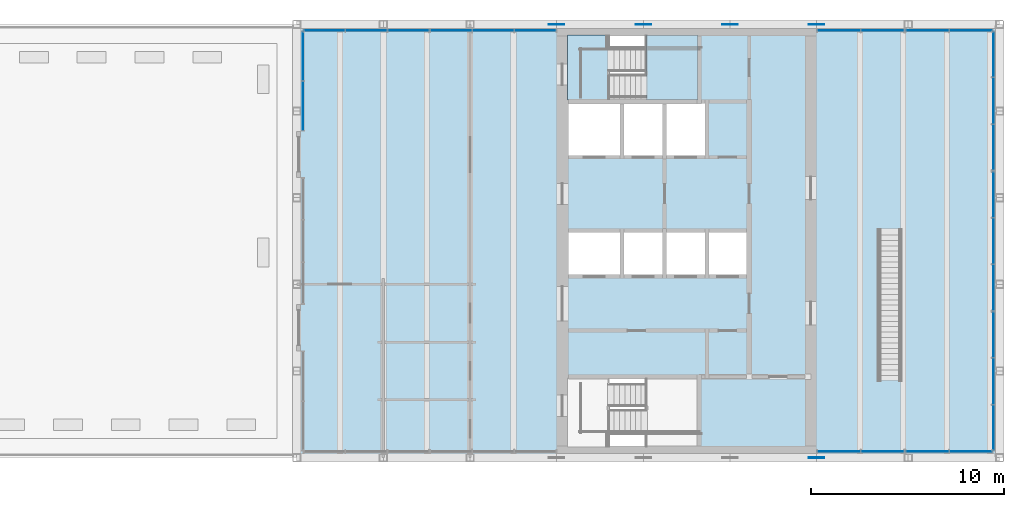
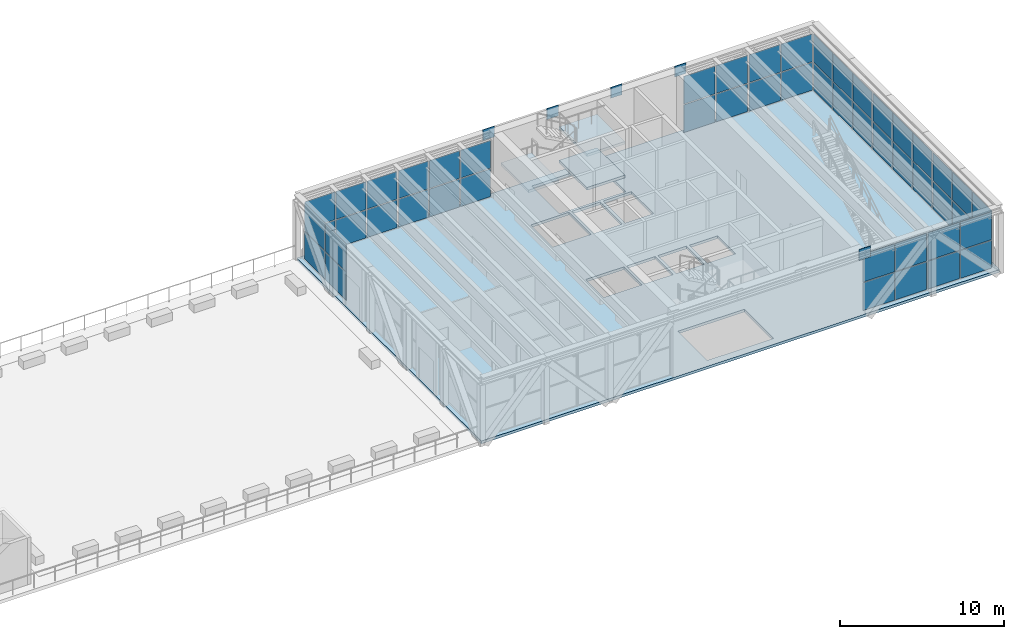
# One storey, part 6 of 13: 55 plates, 4 slabs, 11 elements without a shape of their own.
"""IFC4 building model written with IfcOpenShell, lengths in metres."""

from ifc_helpers import new_model, si_unit, direction, frame, origin, origin_2d, place, context, subcontext, project, spatial, polyline, rectangle, outline, extrude, material, layer, layer_set, type_object, element, aggregate, save


model = new_model("IFC4")

# Units and contexts
model_context = context("Model", 3, precision=1e-05, world=origin(), true_north=direction((0.0, 1.0)))
body_context = subcontext(model_context, "Body", "Model", "MODEL_VIEW")
ifc_project = project(units=[si_unit("LENGTHUNIT", "METRE"), si_unit("AREAUNIT", "SQUARE_METRE"), si_unit("VOLUMEUNIT", "CUBIC_METRE"), si_unit("PLANEANGLEUNIT", "RADIAN"), si_unit("MASSUNIT", "GRAM", prefix="KILO")], contexts=[model_context])

# Site, building, storey
site_placement = place(None, origin())
site = spatial("IfcSite", under=ifc_project, at=site_placement, CompositionType="ELEMENT")
building_placement = place(site_placement, origin())
building = spatial("IfcBuilding", under=site, at=building_placement, Name="Sennacour Bend Tower", CompositionType="ELEMENT")
storey_placement = place(building_placement, frame((0.0, 0.0, 345.5)))
storey = spatial("IfcBuildingStorey", under=building, at=storey_placement, Name="L79", CompositionType="ELEMENT", Elevation=345.5)

# Plates
ifc_material_1 = material(Name="Steel ASTM A572 Grade 50", Category="steel")
ifc_layer_1 = layer(ifc_material_1, 0.0400390625, Name="Steel ASTM A572 Grade 50", Category="steel")
ifc_layer_set_1 = layer_set([ifc_layer_1], Name="Steel ASTM A572 Grade 50")
plate_type_1 = type_object("IfcPlateType", Name="Cast-in plate 40", PredefinedType="USERDEFINED", material=ifc_layer_set_1)
for number, where, z_axis, x_axis, name in (
    (1, (67.5, 0.0, 4.15087890625), (0.0, 0.0, 1.0), (1.0, 0.0, 0.0), "Cast-in plate CP 40"),
    (2, (54.0, 22.5, 4.15087890625), (0.0, 0.0, 1.0), (1.0, 0.0, 0.0), "Cast-in plate CP 40"),
    (3, (58.5, 22.5, 4.15087890625), (0.0, 0.0, 1.0), (1.0, 0.0, 0.0), "Cast-in plate CP 40"),
    (4, (63.0, 22.5, 4.15087890625), (0.0, 0.0, 1.0), (1.0, 0.0, 0.0), "Cast-in plate CP 40"),
    (5, (67.5, 22.5, 4.15087890625), (0.0, 0.0, 1.0), (1.0, 0.0, 0.0), "Cast-in plate CP 40"),
):
    element("IfcPlate", number, at=place(storey_placement, frame(where, z_axis=z_axis, x_axis=x_axis)), inside=storey, type_object=plate_type_1, Name=name, ObjectType="CAST-IN PLATE", PredefinedType="USERDEFINED", context=body_context, shape_type="SweptSolid", body=[
        extrude(rectangle(XDim=0.800048828125, YDim=0.0400390625, at=origin_2d()), origin(), (0.0, 0.0, 1.0), 0.800048828125),
    ])

# Slab
ifc_material_2 = material(Name="Concrete C30/37", Category="concrete")
ifc_layer_2 = layer(ifc_material_2, 0.199951171875, Name="Concrete C30/37", Category="concrete")
ifc_layer_set_2 = layer_set([ifc_layer_2], Name="Concrete C30/37")
slab_type_1 = type_object("IfcSlabType", Name="Floor slab 200", PredefinedType="FLOOR", material=ifc_layer_set_2)
slab_1_placement = place(storey_placement, frame((0.0, 0.0, -0.199951171875)))
element("IfcSlab", 6, at=slab_1_placement, inside=storey, type_object=slab_type_1, Name="Floor slab L79-01", PredefinedType="FLOOR", context=body_context, shape_type="SweptSolid", body=[
    extrude(outline(polyline([(40.5, 0.0), (40.5, 22.5), (77.0, 22.5), (77.0, 0.0), (40.5, 0.0)]), holes=[polyline([(61.39990234375, 4.125), (56.72998046875, 4.125), (56.72998046875, 0.550048828125), (61.39990234375, 0.550048828125), (61.39990234375, 4.125)]), polyline([(57.300048828125, 11.699951171875), (54.60009765625, 11.699951171875), (54.60009765625, 9.5), (57.300048828125, 9.5), (57.300048828125, 11.699951171875)]), polyline([(59.5, 11.699951171875), (57.5, 11.699951171875), (57.5, 9.5), (59.5, 9.5), (59.5, 11.699951171875)]), polyline([(61.699951171875, 11.699951171875), (59.699951171875, 11.699951171875), (59.699951171875, 9.5), (61.699951171875, 9.5), (61.699951171875, 11.699951171875)]), polyline([(63.89990234375, 11.699951171875), (61.89990234375, 11.699951171875), (61.89990234375, 9.5), (63.89990234375, 9.5), (63.89990234375, 11.699951171875)]), polyline([(57.300048828125, 18.39990234375), (54.60009765625, 18.39990234375), (54.60009765625, 15.699951171875), (57.300048828125, 15.699951171875), (57.300048828125, 18.39990234375)]), polyline([(59.5, 18.39990234375), (57.5, 18.39990234375), (57.5, 15.699951171875), (59.5, 15.699951171875), (59.5, 18.39990234375)]), polyline([(61.699951171875, 15.699951171875), (61.699951171875, 18.39990234375), (59.699951171875, 18.39990234375), (59.699951171875, 15.699951171875), (61.699951171875, 15.699951171875)]), polyline([(61.39990234375, 18.574951171875), (61.39990234375, 21.949951171875), (56.72998046875, 21.949951171875), (56.72998046875, 18.574951171875), (61.39990234375, 18.574951171875)])]), origin(), (0.0, 0.0, 1.0), 0.199951171875),
])

# Curtain wall, plates
ifc_material_3 = material(Name="Bronze anodised aluminium curtain wall with clear glass", Category="aluminium")
curtain_wall_type = type_object("IfcCurtainWallType", Name="CURTAIN WALL LOUNGE", PredefinedType="NOTDEFINED", material=ifc_material_3)
curtain_wall_1_placement = place(storey_placement, origin())
curtain_wall_1 = element("IfcCurtainWall", 7, at=curtain_wall_1_placement, inside=storey, type_object=curtain_wall_type, Name="Sky lounge glass wall L79", PredefinedType="NOTDEFINED")
ifc_material_4 = material(Name="Clear low-emissivity glass", Category="glass")
ifc_layer_3 = layer(ifc_material_4, 0.031982421875, Name="Clear low-emissivity glass", Category="glass")
ifc_layer_set_3 = layer_set([ifc_layer_3], Name="Clear low-emissivity glass")
plate_type_2 = type_object("IfcPlateType", Name="PNL-GLASS-IGU32", PredefinedType="CURTAIN_PANEL", material=ifc_layer_set_3)
plate_1_placement = place(storey_placement, frame((76.675048828125, 1.553955078125, 0.06005859375), z_axis=(0.0, 0.0, 1.0), x_axis=(0.0, 1.0, 0.0)))
plate_1 = element("IfcPlate", 8, at=plate_1_placement, type_object=plate_type_2, Name="GW4 curtain wall panel 1.1", PredefinedType="CURTAIN_PANEL", context=body_context, shape_type="SweptSolid", body=[
    extrude(rectangle(XDim=2.337646484375, YDim=0.031982421875, at=origin_2d()), origin(), (0.0, 0.0, 1.0), 2.06103515625),
])
plate_2_placement = place(storey_placement, frame((76.675048828125, 1.553955078125, 2.180908203125), z_axis=(0.0, 0.0, 1.0), x_axis=(0.0, 1.0, 0.0)))
plate_2 = element("IfcPlate", 9, at=plate_2_placement, type_object=plate_type_2, Name="GW4 curtain wall panel 1.2", PredefinedType="CURTAIN_PANEL", context=body_context, shape_type="SweptSolid", body=[
    extrude(rectangle(XDim=2.337646484375, YDim=0.031982421875, at=origin_2d()), origin(), (0.0, 0.0, 1.0), 2.06103515625),
])
plate_3_placement = place(storey_placement, frame((76.675048828125, 3.966552734375, 0.06005859375), z_axis=(0.0, 0.0, 1.0), x_axis=(0.0, 1.0, 0.0)))
plate_3 = element("IfcPlate", 10, at=plate_3_placement, type_object=plate_type_2, Name="GW4 curtain wall panel 2.1", PredefinedType="CURTAIN_PANEL", context=body_context, shape_type="SweptSolid", body=[
    extrude(rectangle(XDim=2.36767578125, YDim=0.031982421875, at=origin_2d()), origin(), (0.0, 0.0, 1.0), 2.06103515625),
])
plate_4_placement = place(storey_placement, frame((76.675048828125, 3.966552734375, 2.180908203125), z_axis=(0.0, 0.0, 1.0), x_axis=(0.0, 1.0, 0.0)))
plate_4 = element("IfcPlate", 11, at=plate_4_placement, type_object=plate_type_2, Name="GW4 curtain wall panel 2.2", PredefinedType="CURTAIN_PANEL", context=body_context, shape_type="SweptSolid", body=[
    extrude(rectangle(XDim=2.36767578125, YDim=0.031982421875, at=origin_2d()), origin(), (0.0, 0.0, 1.0), 2.06103515625),
])
plate_5_placement = place(storey_placement, frame((76.675048828125, 6.37939453125, 0.06005859375), z_axis=(0.0, 0.0, 1.0), x_axis=(0.0, 1.0, 0.0)))
plate_5 = element("IfcPlate", 12, at=plate_5_placement, type_object=plate_type_2, Name="GW4 curtain wall panel 3.1", PredefinedType="CURTAIN_PANEL", context=body_context, shape_type="SweptSolid", body=[
    extrude(rectangle(XDim=2.337646484375, YDim=0.031982421875, at=origin_2d()), origin(), (0.0, 0.0, 1.0), 2.06103515625),
])
plate_6_placement = place(storey_placement, frame((76.675048828125, 6.37939453125, 2.180908203125), z_axis=(0.0, 0.0, 1.0), x_axis=(0.0, 1.0, 0.0)))
plate_6 = element("IfcPlate", 13, at=plate_6_placement, type_object=plate_type_2, Name="GW4 curtain wall panel 3.2", PredefinedType="CURTAIN_PANEL", context=body_context, shape_type="SweptSolid", body=[
    extrude(rectangle(XDim=2.337646484375, YDim=0.031982421875, at=origin_2d()), origin(), (0.0, 0.0, 1.0), 2.06103515625),
])
aggregate(curtain_wall_1, [plate_1, plate_2, plate_3, plate_4, plate_5, plate_6])

curtain_wall_2_placement = place(storey_placement, origin())
curtain_wall_2 = element("IfcCurtainWall", 14, at=curtain_wall_2_placement, inside=storey, type_object=curtain_wall_type, Name="Sky lounge glass wall L79", PredefinedType="NOTDEFINED")
plate_7_placement = place(storey_placement, frame((76.675048828125, 8.837158203125, 0.06005859375), z_axis=(0.0, 0.0, 1.0), x_axis=(0.0, 1.0, 0.0)))
plate_7 = element("IfcPlate", 15, at=plate_7_placement, type_object=plate_type_2, Name="GW4 curtain wall panel 1.1", PredefinedType="CURTAIN_PANEL", context=body_context, shape_type="SweptSolid", body=[
    extrude(rectangle(XDim=2.337890625, YDim=0.031982421875, at=origin_2d()), origin(), (0.0, 0.0, 1.0), 2.06103515625),
])
plate_8_placement = place(storey_placement, frame((76.675048828125, 8.837158203125, 2.180908203125), z_axis=(0.0, 0.0, 1.0), x_axis=(0.0, 1.0, 0.0)))
plate_8 = element("IfcPlate", 16, at=plate_8_placement, type_object=plate_type_2, Name="GW4 curtain wall panel 1.2", PredefinedType="CURTAIN_PANEL", context=body_context, shape_type="SweptSolid", body=[
    extrude(rectangle(XDim=2.337890625, YDim=0.031982421875, at=origin_2d()), origin(), (0.0, 0.0, 1.0), 2.06103515625),
])
plate_9_placement = place(storey_placement, frame((76.675048828125, 11.25, 0.06005859375), z_axis=(0.0, 0.0, 1.0), x_axis=(0.0, 1.0, 0.0)))
plate_9 = element("IfcPlate", 17, at=plate_9_placement, type_object=plate_type_2, Name="GW4 curtain wall panel 2.1", PredefinedType="CURTAIN_PANEL", context=body_context, shape_type="SweptSolid", body=[
    extrude(rectangle(XDim=2.367919921875, YDim=0.031982421875, at=origin_2d()), origin(), (0.0, 0.0, 1.0), 2.06103515625),
])
plate_10_placement = place(storey_placement, frame((76.675048828125, 11.25, 2.180908203125), z_axis=(0.0, 0.0, 1.0), x_axis=(0.0, 1.0, 0.0)))
plate_10 = element("IfcPlate", 18, at=plate_10_placement, type_object=plate_type_2, Name="GW4 curtain wall panel 2.2", PredefinedType="CURTAIN_PANEL", context=body_context, shape_type="SweptSolid", body=[
    extrude(rectangle(XDim=2.367919921875, YDim=0.031982421875, at=origin_2d()), origin(), (0.0, 0.0, 1.0), 2.06103515625),
])
plate_11_placement = place(storey_placement, frame((76.675048828125, 13.662841796875, 0.06005859375), z_axis=(0.0, 0.0, 1.0), x_axis=(0.0, 1.0, 0.0)))
plate_11 = element("IfcPlate", 19, at=plate_11_placement, type_object=plate_type_2, Name="GW4 curtain wall panel 3.1", PredefinedType="CURTAIN_PANEL", context=body_context, shape_type="SweptSolid", body=[
    extrude(rectangle(XDim=2.337890625, YDim=0.031982421875, at=origin_2d()), origin(), (0.0, 0.0, 1.0), 2.06103515625),
])
plate_12_placement = place(storey_placement, frame((76.675048828125, 13.662841796875, 2.180908203125), z_axis=(0.0, 0.0, 1.0), x_axis=(0.0, 1.0, 0.0)))
plate_12 = element("IfcPlate", 20, at=plate_12_placement, type_object=plate_type_2, Name="GW4 curtain wall panel 3.2", PredefinedType="CURTAIN_PANEL", context=body_context, shape_type="SweptSolid", body=[
    extrude(rectangle(XDim=2.337890625, YDim=0.031982421875, at=origin_2d()), origin(), (0.0, 0.0, 1.0), 2.06103515625),
])
aggregate(curtain_wall_2, [plate_7, plate_8, plate_9, plate_10, plate_11, plate_12])

curtain_wall_3_placement = place(storey_placement, origin())
curtain_wall_3 = element("IfcCurtainWall", 21, at=curtain_wall_3_placement, inside=storey, type_object=curtain_wall_type, Name="Sky lounge glass wall L79", PredefinedType="NOTDEFINED")
plate_13_placement = place(storey_placement, frame((76.675048828125, 16.12060546875, 0.06005859375), z_axis=(0.0, 0.0, 1.0), x_axis=(0.0, 1.0, 0.0)))
plate_13 = element("IfcPlate", 22, at=plate_13_placement, type_object=plate_type_2, Name="GW4 curtain wall panel 1.1", PredefinedType="CURTAIN_PANEL", context=body_context, shape_type="SweptSolid", body=[
    extrude(rectangle(XDim=2.337646484375, YDim=0.031982421875, at=origin_2d()), origin(), (0.0, 0.0, 1.0), 2.06103515625),
])
plate_14_placement = place(storey_placement, frame((76.675048828125, 16.12060546875, 2.180908203125), z_axis=(0.0, 0.0, 1.0), x_axis=(0.0, 1.0, 0.0)))
plate_14 = element("IfcPlate", 23, at=plate_14_placement, type_object=plate_type_2, Name="GW4 curtain wall panel 1.2", PredefinedType="CURTAIN_PANEL", context=body_context, shape_type="SweptSolid", body=[
    extrude(rectangle(XDim=2.337646484375, YDim=0.031982421875, at=origin_2d()), origin(), (0.0, 0.0, 1.0), 2.06103515625),
])
plate_15_placement = place(storey_placement, frame((76.675048828125, 18.533447265625, 0.06005859375), z_axis=(0.0, 0.0, 1.0), x_axis=(0.0, 1.0, 0.0)))
plate_15 = element("IfcPlate", 24, at=plate_15_placement, type_object=plate_type_2, Name="GW4 curtain wall panel 2.1", PredefinedType="CURTAIN_PANEL", context=body_context, shape_type="SweptSolid", body=[
    extrude(rectangle(XDim=2.36767578125, YDim=0.031982421875, at=origin_2d()), origin(), (0.0, 0.0, 1.0), 2.06103515625),
])
plate_16_placement = place(storey_placement, frame((76.675048828125, 18.533447265625, 2.180908203125), z_axis=(0.0, 0.0, 1.0), x_axis=(0.0, 1.0, 0.0)))
plate_16 = element("IfcPlate", 25, at=plate_16_placement, type_object=plate_type_2, Name="GW4 curtain wall panel 2.2", PredefinedType="CURTAIN_PANEL", context=body_context, shape_type="SweptSolid", body=[
    extrude(rectangle(XDim=2.36767578125, YDim=0.031982421875, at=origin_2d()), origin(), (0.0, 0.0, 1.0), 2.06103515625),
])
plate_17_placement = place(storey_placement, frame((76.675048828125, 20.946044921875, 0.06005859375), z_axis=(0.0, 0.0, 1.0), x_axis=(0.0, 1.0, 0.0)))
plate_17 = element("IfcPlate", 26, at=plate_17_placement, type_object=plate_type_2, Name="GW4 curtain wall panel 3.1", PredefinedType="CURTAIN_PANEL", context=body_context, shape_type="SweptSolid", body=[
    extrude(rectangle(XDim=2.337646484375, YDim=0.031982421875, at=origin_2d()), origin(), (0.0, 0.0, 1.0), 2.06103515625),
])
plate_18_placement = place(storey_placement, frame((76.675048828125, 20.946044921875, 2.180908203125), z_axis=(0.0, 0.0, 1.0), x_axis=(0.0, 1.0, 0.0)))
plate_18 = element("IfcPlate", 27, at=plate_18_placement, type_object=plate_type_2, Name="GW4 curtain wall panel 3.2", PredefinedType="CURTAIN_PANEL", context=body_context, shape_type="SweptSolid", body=[
    extrude(rectangle(XDim=2.337646484375, YDim=0.031982421875, at=origin_2d()), origin(), (0.0, 0.0, 1.0), 2.06103515625),
])
aggregate(curtain_wall_3, [plate_13, plate_14, plate_15, plate_16, plate_17, plate_18])

curtain_wall_4_placement = place(storey_placement, origin())
curtain_wall_4 = element("IfcCurtainWall", 28, at=curtain_wall_4_placement, inside=storey, type_object=curtain_wall_type, Name="Sky lounge glass wall L79", PredefinedType="NOTDEFINED")
plate_19_placement = place(storey_placement, frame((75.51318359375, 22.175048828125, 0.06005859375), z_axis=(0.0, 0.0, 1.0), x_axis=(-1.0, 0.0, 0.0)))
plate_19 = element("IfcPlate", 29, at=plate_19_placement, type_object=plate_type_2, Name="GW4 curtain wall panel 1.1", PredefinedType="CURTAIN_PANEL", context=body_context, shape_type="SweptSolid", body=[
    extrude(rectangle(XDim=2.20361328125, YDim=0.031982421875, at=origin_2d()), origin(), (0.0, 0.0, 1.0), 2.06103515625),
])
plate_20_placement = place(storey_placement, frame((75.51318359375, 22.175048828125, 2.180908203125), z_axis=(0.0, 0.0, 1.0), x_axis=(-1.0, 0.0, 0.0)))
plate_20 = element("IfcPlate", 30, at=plate_20_placement, type_object=plate_type_2, Name="GW4 curtain wall panel 1.2", PredefinedType="CURTAIN_PANEL", context=body_context, shape_type="SweptSolid", body=[
    extrude(rectangle(XDim=2.20361328125, YDim=0.031982421875, at=origin_2d()), origin(), (0.0, 0.0, 1.0), 2.06103515625),
])
plate_21_placement = place(storey_placement, frame((73.249755859375, 22.175048828125, 0.06005859375), z_axis=(0.0, 0.0, 1.0), x_axis=(-1.0, 0.0, 0.0)))
plate_21 = element("IfcPlate", 31, at=plate_21_placement, type_object=plate_type_2, Name="GW4 curtain wall panel 2.1", PredefinedType="CURTAIN_PANEL", context=body_context, shape_type="SweptSolid", body=[
    extrude(rectangle(XDim=2.20361328125, YDim=0.031982421875, at=origin_2d()), origin(), (0.0, 0.0, 1.0), 2.06103515625),
])
plate_22_placement = place(storey_placement, frame((73.249755859375, 22.175048828125, 2.180908203125), z_axis=(0.0, 0.0, 1.0), x_axis=(-1.0, 0.0, 0.0)))
plate_22 = element("IfcPlate", 32, at=plate_22_placement, type_object=plate_type_2, Name="GW4 curtain wall panel 2.2", PredefinedType="CURTAIN_PANEL", context=body_context, shape_type="SweptSolid", body=[
    extrude(rectangle(XDim=2.20361328125, YDim=0.031982421875, at=origin_2d()), origin(), (0.0, 0.0, 1.0), 2.06103515625),
])
aggregate(curtain_wall_4, [plate_19, plate_20, plate_21, plate_22])

curtain_wall_5_placement = place(storey_placement, origin())
curtain_wall_5 = element("IfcCurtainWall", 33, at=curtain_wall_5_placement, inside=storey, type_object=curtain_wall_type, Name="Sky lounge glass wall L79", PredefinedType="NOTDEFINED")
plate_23_placement = place(storey_placement, frame((70.92626953125, 22.175048828125, 0.06005859375), z_axis=(0.0, 0.0, 1.0), x_axis=(-1.0, 0.0, 0.0)))
plate_23 = element("IfcPlate", 34, at=plate_23_placement, type_object=plate_type_2, Name="GW4 curtain wall panel 1.1", PredefinedType="CURTAIN_PANEL", context=body_context, shape_type="SweptSolid", body=[
    extrude(rectangle(XDim=2.20361328125, YDim=0.031982421875, at=origin_2d()), origin(), (0.0, 0.0, 1.0), 2.06103515625),
])
plate_24_placement = place(storey_placement, frame((70.92626953125, 22.175048828125, 2.180908203125), z_axis=(0.0, 0.0, 1.0), x_axis=(-1.0, 0.0, 0.0)))
plate_24 = element("IfcPlate", 35, at=plate_24_placement, type_object=plate_type_2, Name="GW4 curtain wall panel 1.2", PredefinedType="CURTAIN_PANEL", context=body_context, shape_type="SweptSolid", body=[
    extrude(rectangle(XDim=2.20361328125, YDim=0.031982421875, at=origin_2d()), origin(), (0.0, 0.0, 1.0), 2.06103515625),
])
plate_25_placement = place(storey_placement, frame((68.662841796875, 22.175048828125, 0.06005859375), z_axis=(0.0, 0.0, 1.0), x_axis=(-1.0, 0.0, 0.0)))
plate_25 = element("IfcPlate", 36, at=plate_25_placement, type_object=plate_type_2, Name="GW4 curtain wall panel 2.1", PredefinedType="CURTAIN_PANEL", context=body_context, shape_type="SweptSolid", body=[
    extrude(rectangle(XDim=2.20361328125, YDim=0.031982421875, at=origin_2d()), origin(), (0.0, 0.0, 1.0), 2.06103515625),
])
plate_26_placement = place(storey_placement, frame((68.662841796875, 22.175048828125, 2.180908203125), z_axis=(0.0, 0.0, 1.0), x_axis=(-1.0, 0.0, 0.0)))
plate_26 = element("IfcPlate", 37, at=plate_26_placement, type_object=plate_type_2, Name="GW4 curtain wall panel 2.2", PredefinedType="CURTAIN_PANEL", context=body_context, shape_type="SweptSolid", body=[
    extrude(rectangle(XDim=2.20361328125, YDim=0.031982421875, at=origin_2d()), origin(), (0.0, 0.0, 1.0), 2.06103515625),
])
aggregate(curtain_wall_5, [plate_23, plate_24, plate_25, plate_26])

curtain_wall_6_placement = place(storey_placement, origin())
curtain_wall_6 = element("IfcCurtainWall", 38, at=curtain_wall_6_placement, inside=storey, type_object=curtain_wall_type, Name="Sky lounge glass wall L79", PredefinedType="NOTDEFINED")
plate_27_placement = place(storey_placement, frame((52.88623046875, 22.175048828125, 0.06005859375), z_axis=(0.0, 0.0, 1.0), x_axis=(-1.0, 0.0, 0.0)))
plate_27 = element("IfcPlate", 39, at=plate_27_placement, type_object=plate_type_2, Name="GW4 curtain wall panel 1.1", PredefinedType="CURTAIN_PANEL", context=body_context, shape_type="SweptSolid", body=[
    extrude(rectangle(XDim=2.105712890625, YDim=0.031982421875, at=origin_2d()), origin(), (0.0, 0.0, 1.0), 2.06103515625),
])
plate_28_placement = place(storey_placement, frame((52.88623046875, 22.175048828125, 2.180908203125), z_axis=(0.0, 0.0, 1.0), x_axis=(-1.0, 0.0, 0.0)))
plate_28 = element("IfcPlate", 40, at=plate_28_placement, type_object=plate_type_2, Name="GW4 curtain wall panel 1.2", PredefinedType="CURTAIN_PANEL", context=body_context, shape_type="SweptSolid", body=[
    extrude(rectangle(XDim=2.105712890625, YDim=0.031982421875, at=origin_2d()), origin(), (0.0, 0.0, 1.0), 2.06103515625),
])
plate_29_placement = place(storey_placement, frame((50.70556640625, 22.175048828125, 0.06005859375), z_axis=(0.0, 0.0, 1.0), x_axis=(-1.0, 0.0, 0.0)))
plate_29 = element("IfcPlate", 41, at=plate_29_placement, type_object=plate_type_2, Name="GW4 curtain wall panel 2.1", PredefinedType="CURTAIN_PANEL", context=body_context, shape_type="SweptSolid", body=[
    extrude(rectangle(XDim=2.1357421875, YDim=0.031982421875, at=origin_2d()), origin(), (0.0, 0.0, 1.0), 2.06103515625),
])
plate_30_placement = place(storey_placement, frame((50.70556640625, 22.175048828125, 2.180908203125), z_axis=(0.0, 0.0, 1.0), x_axis=(-1.0, 0.0, 0.0)))
plate_30 = element("IfcPlate", 42, at=plate_30_placement, type_object=plate_type_2, Name="GW4 curtain wall panel 2.2", PredefinedType="CURTAIN_PANEL", context=body_context, shape_type="SweptSolid", body=[
    extrude(rectangle(XDim=2.1357421875, YDim=0.031982421875, at=origin_2d()), origin(), (0.0, 0.0, 1.0), 2.06103515625),
])
plate_31_placement = place(storey_placement, frame((48.52490234375, 22.175048828125, 0.06005859375), z_axis=(0.0, 0.0, 1.0), x_axis=(-1.0, 0.0, 0.0)))
plate_31 = element("IfcPlate", 43, at=plate_31_placement, type_object=plate_type_2, Name="GW4 curtain wall panel 3.1", PredefinedType="CURTAIN_PANEL", context=body_context, shape_type="SweptSolid", body=[
    extrude(rectangle(XDim=2.105712890625, YDim=0.031982421875, at=origin_2d()), origin(), (0.0, 0.0, 1.0), 2.06103515625),
])
plate_32_placement = place(storey_placement, frame((48.52490234375, 22.175048828125, 2.180908203125), z_axis=(0.0, 0.0, 1.0), x_axis=(-1.0, 0.0, 0.0)))
plate_32 = element("IfcPlate", 44, at=plate_32_placement, type_object=plate_type_2, Name="GW4 curtain wall panel 3.2", PredefinedType="CURTAIN_PANEL", context=body_context, shape_type="SweptSolid", body=[
    extrude(rectangle(XDim=2.105712890625, YDim=0.031982421875, at=origin_2d()), origin(), (0.0, 0.0, 1.0), 2.06103515625),
])
aggregate(curtain_wall_6, [plate_27, plate_28, plate_29, plate_30, plate_31, plate_32])

curtain_wall_7_placement = place(storey_placement, origin())
curtain_wall_7 = element("IfcCurtainWall", 45, at=curtain_wall_7_placement, inside=storey, type_object=curtain_wall_type, Name="Sky lounge glass wall L79", PredefinedType="NOTDEFINED")
plate_33_placement = place(storey_placement, frame((46.299072265625, 22.175048828125, 0.06005859375), z_axis=(0.0, 0.0, 1.0), x_axis=(-1.0, 0.0, 0.0)))
plate_33 = element("IfcPlate", 46, at=plate_33_placement, type_object=plate_type_2, Name="GW4 curtain wall panel 1.1", PredefinedType="CURTAIN_PANEL", context=body_context, shape_type="SweptSolid", body=[
    extrude(rectangle(XDim=2.105712890625, YDim=0.031982421875, at=origin_2d()), origin(), (0.0, 0.0, 1.0), 2.06103515625),
])
plate_34_placement = place(storey_placement, frame((46.299072265625, 22.175048828125, 2.180908203125), z_axis=(0.0, 0.0, 1.0), x_axis=(-1.0, 0.0, 0.0)))
plate_34 = element("IfcPlate", 47, at=plate_34_placement, type_object=plate_type_2, Name="GW4 curtain wall panel 1.2", PredefinedType="CURTAIN_PANEL", context=body_context, shape_type="SweptSolid", body=[
    extrude(rectangle(XDim=2.105712890625, YDim=0.031982421875, at=origin_2d()), origin(), (0.0, 0.0, 1.0), 2.06103515625),
])
plate_35_placement = place(storey_placement, frame((44.118408203125, 22.175048828125, 0.06005859375), z_axis=(0.0, 0.0, 1.0), x_axis=(-1.0, 0.0, 0.0)))
plate_35 = element("IfcPlate", 48, at=plate_35_placement, type_object=plate_type_2, Name="GW4 curtain wall panel 2.1", PredefinedType="CURTAIN_PANEL", context=body_context, shape_type="SweptSolid", body=[
    extrude(rectangle(XDim=2.1357421875, YDim=0.031982421875, at=origin_2d()), origin(), (0.0, 0.0, 1.0), 2.06103515625),
])
plate_36_placement = place(storey_placement, frame((44.118408203125, 22.175048828125, 2.180908203125), z_axis=(0.0, 0.0, 1.0), x_axis=(-1.0, 0.0, 0.0)))
plate_36 = element("IfcPlate", 49, at=plate_36_placement, type_object=plate_type_2, Name="GW4 curtain wall panel 2.2", PredefinedType="CURTAIN_PANEL", context=body_context, shape_type="SweptSolid", body=[
    extrude(rectangle(XDim=2.1357421875, YDim=0.031982421875, at=origin_2d()), origin(), (0.0, 0.0, 1.0), 2.06103515625),
])
plate_37_placement = place(storey_placement, frame((41.937744140625, 22.175048828125, 0.06005859375), z_axis=(0.0, 0.0, 1.0), x_axis=(-1.0, 0.0, 0.0)))
plate_37 = element("IfcPlate", 50, at=plate_37_placement, type_object=plate_type_2, Name="GW4 curtain wall panel 3.1", PredefinedType="CURTAIN_PANEL", context=body_context, shape_type="SweptSolid", body=[
    extrude(rectangle(XDim=2.105712890625, YDim=0.031982421875, at=origin_2d()), origin(), (0.0, 0.0, 1.0), 2.06103515625),
])
plate_38_placement = place(storey_placement, frame((41.937744140625, 22.175048828125, 2.180908203125), z_axis=(0.0, 0.0, 1.0), x_axis=(-1.0, 0.0, 0.0)))
plate_38 = element("IfcPlate", 51, at=plate_38_placement, type_object=plate_type_2, Name="GW4 curtain wall panel 3.2", PredefinedType="CURTAIN_PANEL", context=body_context, shape_type="SweptSolid", body=[
    extrude(rectangle(XDim=2.105712890625, YDim=0.031982421875, at=origin_2d()), origin(), (0.0, 0.0, 1.0), 2.06103515625),
])
aggregate(curtain_wall_7, [plate_33, plate_34, plate_35, plate_36, plate_37, plate_38])

curtain_wall_8_placement = place(storey_placement, origin())
curtain_wall_8 = element("IfcCurtainWall", 52, at=curtain_wall_8_placement, inside=storey, type_object=curtain_wall_type, Name="Sky lounge glass wall L79", PredefinedType="NOTDEFINED")
plate_39_placement = place(storey_placement, frame((40.824951171875, 18.271240234375, 0.06005859375), z_axis=(0.0, 0.0, 1.0), x_axis=(0.0, 1.0, 0.0)))
plate_39 = element("IfcPlate", 53, at=plate_39_placement, type_object=plate_type_2, Name="GW4 curtain wall panel 1.1", PredefinedType="CURTAIN_PANEL", context=body_context, shape_type="SweptSolid", body=[
    extrude(rectangle(XDim=2.5224609375, YDim=0.031982421875, at=origin_2d()), origin(), (0.0, 0.0, 1.0), 2.06103515625),
])
plate_40_placement = place(storey_placement, frame((40.824951171875, 18.271240234375, 2.180908203125), z_axis=(0.0, 0.0, 1.0), x_axis=(0.0, 1.0, 0.0)))
plate_40 = element("IfcPlate", 54, at=plate_40_placement, type_object=plate_type_2, Name="GW4 curtain wall panel 1.2", PredefinedType="CURTAIN_PANEL", context=body_context, shape_type="SweptSolid", body=[
    extrude(rectangle(XDim=2.5224609375, YDim=0.031982421875, at=origin_2d()), origin(), (0.0, 0.0, 1.0), 2.06103515625),
])
plate_41_placement = place(storey_placement, frame((40.824951171875, 20.853759765625, 0.06005859375), z_axis=(0.0, 0.0, 1.0), x_axis=(0.0, 1.0, 0.0)))
plate_41 = element("IfcPlate", 55, at=plate_41_placement, type_object=plate_type_2, Name="GW4 curtain wall panel 2.1", PredefinedType="CURTAIN_PANEL", context=body_context, shape_type="SweptSolid", body=[
    extrude(rectangle(XDim=2.5224609375, YDim=0.031982421875, at=origin_2d()), origin(), (0.0, 0.0, 1.0), 2.06103515625),
])
plate_42_placement = place(storey_placement, frame((40.824951171875, 20.853759765625, 2.180908203125), z_axis=(0.0, 0.0, 1.0), x_axis=(0.0, 1.0, 0.0)))
plate_42 = element("IfcPlate", 56, at=plate_42_placement, type_object=plate_type_2, Name="GW4 curtain wall panel 2.2", PredefinedType="CURTAIN_PANEL", context=body_context, shape_type="SweptSolid", body=[
    extrude(rectangle(XDim=2.5224609375, YDim=0.031982421875, at=origin_2d()), origin(), (0.0, 0.0, 1.0), 2.06103515625),
])
aggregate(curtain_wall_8, [plate_39, plate_40, plate_41, plate_42])

curtain_wall_9_placement = place(storey_placement, origin())
curtain_wall_9 = element("IfcCurtainWall", 57, at=curtain_wall_9_placement, inside=storey, type_object=curtain_wall_type, Name="Sky lounge glass wall L79", PredefinedType="NOTDEFINED")
plate_43_placement = place(storey_placement, frame((68.662841796875, 0.324951171875, 0.06005859375), z_axis=(0.0, 0.0, 1.0), x_axis=(1.0, 0.0, 0.0)))
plate_43 = element("IfcPlate", 58, at=plate_43_placement, type_object=plate_type_2, Name="GW4 curtain wall panel 1.1", PredefinedType="CURTAIN_PANEL", context=body_context, shape_type="SweptSolid", body=[
    extrude(rectangle(XDim=2.20361328125, YDim=0.031982421875, at=origin_2d()), origin(), (0.0, 0.0, 1.0), 2.06103515625),
])
plate_44_placement = place(storey_placement, frame((68.662841796875, 0.324951171875, 2.180908203125), z_axis=(0.0, 0.0, 1.0), x_axis=(1.0, 0.0, 0.0)))
plate_44 = element("IfcPlate", 59, at=plate_44_placement, type_object=plate_type_2, Name="GW4 curtain wall panel 1.2", PredefinedType="CURTAIN_PANEL", context=body_context, shape_type="SweptSolid", body=[
    extrude(rectangle(XDim=2.20361328125, YDim=0.031982421875, at=origin_2d()), origin(), (0.0, 0.0, 1.0), 2.06103515625),
])
plate_45_placement = place(storey_placement, frame((70.92626953125, 0.324951171875, 0.06005859375), z_axis=(0.0, 0.0, 1.0), x_axis=(1.0, 0.0, 0.0)))
plate_45 = element("IfcPlate", 60, at=plate_45_placement, type_object=plate_type_2, Name="GW4 curtain wall panel 2.1", PredefinedType="CURTAIN_PANEL", context=body_context, shape_type="SweptSolid", body=[
    extrude(rectangle(XDim=2.20361328125, YDim=0.031982421875, at=origin_2d()), origin(), (0.0, 0.0, 1.0), 2.06103515625),
])
plate_46_placement = place(storey_placement, frame((70.92626953125, 0.324951171875, 2.180908203125), z_axis=(0.0, 0.0, 1.0), x_axis=(1.0, 0.0, 0.0)))
plate_46 = element("IfcPlate", 61, at=plate_46_placement, type_object=plate_type_2, Name="GW4 curtain wall panel 2.2", PredefinedType="CURTAIN_PANEL", context=body_context, shape_type="SweptSolid", body=[
    extrude(rectangle(XDim=2.20361328125, YDim=0.031982421875, at=origin_2d()), origin(), (0.0, 0.0, 1.0), 2.06103515625),
])
aggregate(curtain_wall_9, [plate_43, plate_44, plate_45, plate_46])

curtain_wall_10_placement = place(storey_placement, origin())
curtain_wall_10 = element("IfcCurtainWall", 62, at=curtain_wall_10_placement, inside=storey, type_object=curtain_wall_type, Name="Sky lounge glass wall L79", PredefinedType="NOTDEFINED")
plate_47_placement = place(storey_placement, frame((73.249755859375, 0.324951171875, 0.06005859375), z_axis=(0.0, 0.0, 1.0), x_axis=(1.0, 0.0, 0.0)))
plate_47 = element("IfcPlate", 63, at=plate_47_placement, type_object=plate_type_2, Name="GW4 curtain wall panel 1.1", PredefinedType="CURTAIN_PANEL", context=body_context, shape_type="SweptSolid", body=[
    extrude(rectangle(XDim=2.20361328125, YDim=0.031982421875, at=origin_2d()), origin(), (0.0, 0.0, 1.0), 2.06103515625),
])
plate_48_placement = place(storey_placement, frame((73.249755859375, 0.324951171875, 2.180908203125), z_axis=(0.0, 0.0, 1.0), x_axis=(1.0, 0.0, 0.0)))
plate_48 = element("IfcPlate", 64, at=plate_48_placement, type_object=plate_type_2, Name="GW4 curtain wall panel 1.2", PredefinedType="CURTAIN_PANEL", context=body_context, shape_type="SweptSolid", body=[
    extrude(rectangle(XDim=2.20361328125, YDim=0.031982421875, at=origin_2d()), origin(), (0.0, 0.0, 1.0), 2.06103515625),
])
plate_49_placement = place(storey_placement, frame((75.51318359375, 0.324951171875, 0.06005859375), z_axis=(0.0, 0.0, 1.0), x_axis=(1.0, 0.0, 0.0)))
plate_49 = element("IfcPlate", 65, at=plate_49_placement, type_object=plate_type_2, Name="GW4 curtain wall panel 2.1", PredefinedType="CURTAIN_PANEL", context=body_context, shape_type="SweptSolid", body=[
    extrude(rectangle(XDim=2.20361328125, YDim=0.031982421875, at=origin_2d()), origin(), (0.0, 0.0, 1.0), 2.06103515625),
])
plate_50_placement = place(storey_placement, frame((75.51318359375, 0.324951171875, 2.180908203125), z_axis=(0.0, 0.0, 1.0), x_axis=(1.0, 0.0, 0.0)))
plate_50 = element("IfcPlate", 66, at=plate_50_placement, type_object=plate_type_2, Name="GW4 curtain wall panel 2.2", PredefinedType="CURTAIN_PANEL", context=body_context, shape_type="SweptSolid", body=[
    extrude(rectangle(XDim=2.20361328125, YDim=0.031982421875, at=origin_2d()), origin(), (0.0, 0.0, 1.0), 2.06103515625),
])
aggregate(curtain_wall_10, [plate_47, plate_48, plate_49, plate_50])

# Stair, slabs
ifc_material_5 = material(Name="Concrete C40/50", Category="concrete")
stair_type = type_object("IfcStairType", Name="ST-DOGLEG", PredefinedType="HALF_TURN_STAIR", material=ifc_material_5)
stair_placement = place(storey_placement, origin())
stair = element("IfcStair", 67, at=stair_placement, inside=storey, type_object=stair_type, Name="L79 Exit stair A2", PredefinedType="HALF_TURN_STAIR")
ifc_layer_4 = layer(ifc_material_5, 0.199951171875, Name="Concrete C40/50", Category="concrete")
ifc_layer_set_4 = layer_set([ifc_layer_4], Name="Concrete C40/50")
slab_type_2 = type_object("IfcSlabType", Name="Stair landing 200", PredefinedType="LANDING", material=ifc_layer_set_4)
slab_2_placement = place(storey_placement, frame((0.0, 0.0, 1.050048828125)))
slab_2 = element("IfcSlab", 68, at=slab_2_placement, type_object=slab_type_2, Name="SA2 landing 1", PredefinedType="LANDING", context=body_context, shape_type="SweptSolid", body=[
    extrude(outline(polyline([(58.659912109375, 18.574951171875), (61.324951171875, 18.574951171875), (61.324951171875, 21.949951171875), (58.659912109375, 21.949951171875), (58.659912109375, 18.574951171875)])), origin(), (0.0, 0.0, 1.0), 0.199951171875),
])
slab_3_placement = place(storey_placement, frame((0.0, 0.0, 2.300048828125)))
slab_3 = element("IfcSlab", 69, at=slab_3_placement, type_object=slab_type_2, Name="SA2 landing 2", PredefinedType="LANDING", context=body_context, shape_type="SweptSolid", body=[
    extrude(outline(polyline([(54.550048828125, 18.574951171875), (56.699951171875, 18.574951171875), (56.699951171875, 21.949951171875), (54.550048828125, 21.949951171875), (54.550048828125, 18.574951171875)])), origin(), (0.0, 0.0, 1.0), 0.199951171875),
])
slab_4_placement = place(storey_placement, frame((0.0, 0.0, 3.550048828125)))
slab_4 = element("IfcSlab", 70, at=slab_4_placement, type_object=slab_type_2, Name="SA2 landing 3", PredefinedType="LANDING", context=body_context, shape_type="SweptSolid", body=[
    extrude(outline(polyline([(58.659912109375, 18.574951171875), (61.324951171875, 18.574951171875), (61.324951171875, 21.949951171875), (58.659912109375, 21.949951171875), (58.659912109375, 18.574951171875)])), origin(), (0.0, 0.0, 1.0), 0.199951171875),
])
aggregate(stair, [slab_2, slab_3, slab_4])

save(model, "model.ifc")
